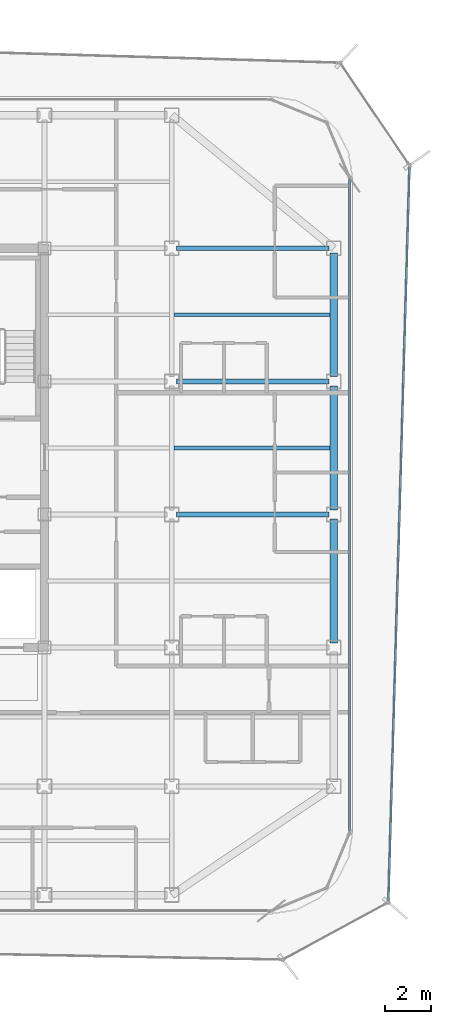
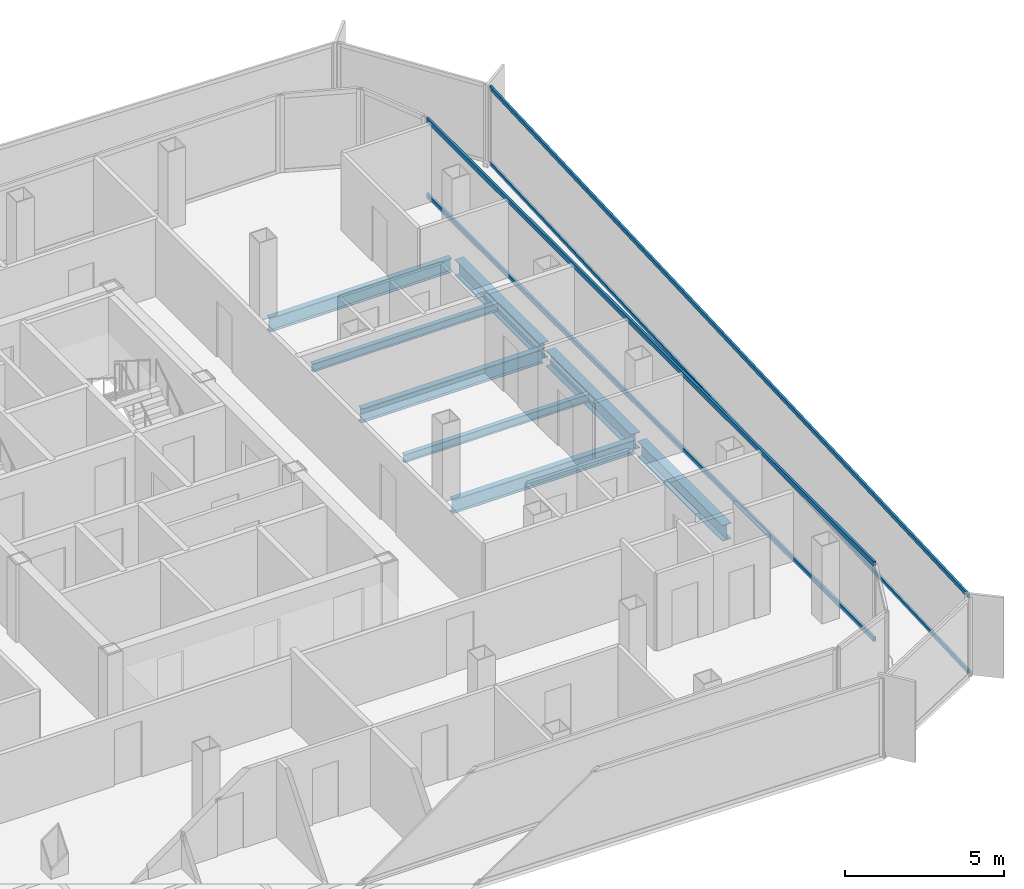
# One storey, part 5 of 15: 8 beams, 4 members, 2 elements without a shape of their own.
"""IFC4 building model written with IfcOpenShell, lengths in metres."""

import ifcopenshell
import ifcopenshell.guid

model = None  # the IFC model being written
_history = None  # IfcOwnerHistory: only IFC2X3 demands one
_inside = {}  # id of a spatial element -> (the spatial element, [elements in it])
_under = {}  # id of a project, library or spatial element -> (it, [spatial elements below it])
_declared = {}  # id of a project -> (the project, [libraries it declares])
_typed = {}  # id of a type object -> (the type object, [elements of that type])
_made_of = {}  # id of a material, layer set ... -> (it, [elements and type objects made of it])


def new_model(schema):
    """Start an empty IFC model of exactly this schema.

    Asked for "IFC4X3", IfcOpenShell would pick the latest addendum, in which some entities
    have other attributes; the version numbers below select the first issue.
    IFC2X3 requires an IfcOwnerHistory on every rooted entity: one is made here for all.
    """
    global model, _history
    if schema == "IFC4X3":
        model = ifcopenshell.file(schema_version=(4, 3, 0, 0))
    else:
        model = ifcopenshell.file(schema=schema)
    _inside.clear()
    _under.clear()
    _declared.clear()
    _typed.clear()
    _made_of.clear()
    _history = None
    if model.schema == "IFC2X3":
        org = make("IfcOrganization", Name="unknown")
        user = make(
            "IfcPersonAndOrganization",
            ThePerson=make("IfcPerson", FamilyName="unknown"),
            TheOrganization=org,
        )
        app = make(
            "IfcApplication",
            ApplicationDeveloper=org,
            Version="unknown",
            ApplicationFullName="unknown",
            ApplicationIdentifier="unknown",
        )
        _history = make(
            "IfcOwnerHistory",
            OwningUser=user,
            OwningApplication=app,
            ChangeAction="ADDED",
            CreationDate=0,
        )
    return model


def make(cls, **values):
    """One entity of the class cls with the attributes given. An attribute that is None is left unset."""
    return model.create_entity(
        cls, **{name: value for name, value in values.items() if value is not None}
    )


def rooted(cls, **values):
    """An entity with a GlobalId (a new one), such as an element, a storey or a relation."""
    return make(cls, GlobalId=ifcopenshell.guid.new(), OwnerHistory=_history, **values)


def si_unit(unit_type, name, prefix=None):
    """IfcSIUnit, for example si_unit("LENGTHUNIT", "METRE", prefix="MILLI")."""
    return make("IfcSIUnit", UnitType=unit_type, Prefix=prefix, Name=name)


def assignment(units):
    """IfcUnitAssignment: the units of a project."""
    return None if units is None else make("IfcUnitAssignment", Units=units)


def point(xyz):
    """IfcCartesianPoint."""
    return None if xyz is None else make("IfcCartesianPoint", Coordinates=xyz)


def direction(xyz):
    """IfcDirection."""
    return None if xyz is None else make("IfcDirection", DirectionRatios=xyz)


def frame(location, z_axis=None, x_axis=None):
    """IfcAxis2Placement3D, a coordinate frame: its origin and axes. An axis left out is left unset."""
    return make(
        "IfcAxis2Placement3D",
        Location=point(location),
        Axis=direction(z_axis),
        RefDirection=direction(x_axis),
    )


def frame_2d(location, x_axis=None):
    """IfcAxis2Placement2D, a coordinate frame in the plane: its origin and x axis."""
    return make(
        "IfcAxis2Placement2D", Location=point(location), RefDirection=direction(x_axis)
    )


def origin():
    """The frame at (0, 0, 0) with its axes left unset."""
    return frame((0.0, 0.0, 0.0))


def origin_2d():
    """The frame at (0, 0) in the plane with its x axis left unset."""
    return frame_2d((0.0, 0.0))


def place(relative_to, where):
    """IfcLocalPlacement: puts the frame where relative to a parent placement (None: the world)."""
    return make(
        "IfcLocalPlacement", PlacementRelTo=relative_to, RelativePlacement=where
    )


def context(
    kind, dimensions, precision=None, world=None, true_north=None, identifier=None
):
    """IfcGeometricRepresentationContext, for example the 3D "Model" context."""
    return make(
        "IfcGeometricRepresentationContext",
        ContextIdentifier=identifier,
        ContextType=kind,
        CoordinateSpaceDimension=dimensions,
        Precision=precision,
        WorldCoordinateSystem=world,
        TrueNorth=true_north,
    )


def subcontext(parent, identifier, kind, view, scale=None):
    """IfcGeometricRepresentationSubContext, for example "Body" below "Model"."""
    return make(
        "IfcGeometricRepresentationSubContext",
        ContextIdentifier=identifier,
        ContextType=kind,
        ParentContext=parent,
        TargetScale=scale,
        TargetView=view,
    )


def project(units=None, contexts=None):
    """IfcProject with its units and contexts."""
    return rooted(
        "IfcProject",
        Name="project",
        RepresentationContexts=contexts,
        UnitsInContext=assignment(units),
    )


def spatial(cls, under=None, at=None, **own):
    """A site, building, storey or space (cls), placed at a placement, below another one or the project."""
    s = rooted(cls, ObjectPlacement=at, **own)
    if under is not None:
        _under.setdefault(under.id(), (under, []))[1].append(s)
    return s


def profile(cls, at=None, kind="AREA", **sizes):
    """A parametric profile (cls). Its sizes go by their IFC names, for example OverallWidth=200.0."""
    return make(cls, ProfileType=kind, Position=at, **sizes)


def hollow_rectangle(**sizes):
    """IfcRectangleHollowProfileDef."""
    return profile("IfcRectangleHollowProfileDef", **sizes)


def i_section(**sizes):
    """IfcIShapeProfileDef."""
    return profile("IfcIShapeProfileDef", **sizes)


def extrude(swept, where, along, depth):
    """IfcExtrudedAreaSolid: the profile swept, set in the frame where, extruded along a direction by depth."""
    return make(
        "IfcExtrudedAreaSolid",
        SweptArea=swept,
        Position=where,
        ExtrudedDirection=direction(along),
        Depth=depth,
    )


def shape(context_of_items, identifier, shape_type, items):
    """IfcShapeRepresentation: the items that make up one representation, for example the "Body"."""
    return make(
        "IfcShapeRepresentation",
        ContextOfItems=context_of_items,
        RepresentationIdentifier=identifier,
        RepresentationType=shape_type,
        Items=items,
    )


def source(mapping_origin, context_of_items, identifier, shape_type, items):
    """IfcRepresentationMap: a shape defined once, which mapped items show again and again."""
    return make(
        "IfcRepresentationMap",
        MappingOrigin=mapping_origin,
        MappedRepresentation=shape(context_of_items, identifier, shape_type, items),
    )


def transform(
    local_origin,
    x_axis=None,
    y_axis=None,
    z_axis=None,
    scale=None,
    scale2=None,
    scale3=None,
    uniform=True,
):
    """IfcCartesianTransformationOperator3D, or its non-uniform kind. x_axis, y_axis, z_axis: its Axis1, 2, 3."""
    if uniform:
        return make(
            "IfcCartesianTransformationOperator3D",
            Axis1=direction(x_axis),
            Axis2=direction(y_axis),
            LocalOrigin=point(local_origin),
            Scale=scale,
            Axis3=direction(z_axis),
        )
    return make(
        "IfcCartesianTransformationOperator3DnonUniform",
        Axis1=direction(x_axis),
        Axis2=direction(y_axis),
        LocalOrigin=point(local_origin),
        Scale=scale,
        Axis3=direction(z_axis),
        Scale2=scale2,
        Scale3=scale3,
    )


def mapped(mapping_source, mapping_target):
    """IfcMappedItem: shows the shape of a source again, moved by a transform."""
    return make(
        "IfcMappedItem", MappingSource=mapping_source, MappingTarget=mapping_target
    )


def material(Name=None, Category=None):
    """IfcMaterial."""
    return make("IfcMaterial", Name=Name, Category=Category)


def layer(
    of_material, thickness, ventilated=None, Name=None, Category=None, Priority=None
):
    """IfcMaterialLayer: one layer of a wall or slab, of a material (None: an air gap)."""
    return make(
        "IfcMaterialLayer",
        Material=of_material,
        LayerThickness=thickness,
        IsVentilated=ventilated,
        Name=Name,
        Category=Category,
        Priority=Priority,
    )


def layer_set(layers, Name=None):
    """IfcMaterialLayerSet."""
    return make("IfcMaterialLayerSet", MaterialLayers=layers, LayerSetName=Name)


def material_profile(
    of_material, cross_section, Name=None, Category=None, Priority=None
):
    """IfcMaterialProfile: a cross section and its material."""
    return make(
        "IfcMaterialProfile",
        Name=Name,
        Material=of_material,
        Profile=cross_section,
        Priority=Priority,
        Category=Category,
    )


def profile_set(profiles, Name=None, composite=None):
    """IfcMaterialProfileSet."""
    return make(
        "IfcMaterialProfileSet",
        Name=Name,
        MaterialProfiles=profiles,
        CompositeProfile=composite,
    )


def made_of(thing, what):
    """Note that an element or type object is made of a material, layer set ...; save() writes the relation."""
    if what is not None:
        _made_of.setdefault(what.id(), (what, []))[1].append(thing)
    return thing


def type_object(cls, material=None, **own):
    """A type object (cls), such as IfcWallType, which elements share."""
    return made_of(rooted(cls, **own), material)


def element(
    cls,
    number,
    at=None,
    inside=None,
    cuts=None,
    type_object=None,
    material=None,
    context=None,
    identifier="Body",
    shape_type=None,
    held_by="IfcProductDefinitionShape",
    body=None,
    shapes=None,
    **own,
):
    """One element of the class cls, such as IfcWall. Its Tag is "e" and its number.

    at: its placement. inside: the storey or other place that contains it. cuts: it is an
    opening in that element (IfcRelVoidsElement). A single representation is given by context,
    identifier, shape_type and body (its items); several are given by shapes. held_by: the class
    of the entity that holds the representations. save() writes the other relations.
    """
    e = rooted(cls, Tag="e%d" % number, ObjectPlacement=at, **own)
    if body is not None:
        shapes = [shape(context, identifier, shape_type, body)]
    if shapes is not None:
        e.Representation = make(held_by, Representations=shapes)
    if inside is not None:
        _inside.setdefault(inside.id(), (inside, []))[1].append(e)
    if cuts is not None:
        rooted(
            "IfcRelVoidsElement", RelatingBuildingElement=cuts, RelatedOpeningElement=e
        )
    if type_object is not None:
        _typed.setdefault(type_object.id(), (type_object, []))[1].append(e)
    return made_of(e, material)


def aggregate(whole, parts):
    """IfcRelAggregates: a whole, such as a stair, and the parts it consists of."""
    return rooted("IfcRelAggregates", RelatingObject=whole, RelatedObjects=parts)


def save(model, path):
    """Write the relations noted so far, then the file.

    IfcRelAggregates (storeys below a building ...), IfcRelContainedInSpatialStructure (elements
    in a storey), IfcRelDefinesByType, IfcRelAssociatesMaterial and IfcRelDeclares: one each for
    every whole, place, type object, material and project.
    """
    for whole, parts in _under.values():
        aggregate(whole, parts)
    for where, things in _inside.values():
        rooted(
            "IfcRelContainedInSpatialStructure",
            RelatedElements=things,
            RelatingStructure=where,
        )
    for kind, things in _typed.values():
        rooted("IfcRelDefinesByType", RelatedObjects=things, RelatingType=kind)
    for what, things in _made_of.values():
        rooted("IfcRelAssociatesMaterial", RelatedObjects=things, RelatingMaterial=what)
    for by, libraries in _declared.values():
        rooted("IfcRelDeclares", RelatingContext=by, RelatedDefinitions=libraries)
    model.write(path)


model = new_model("IFC4")

# Units and contexts
model_context = context("Model", 3, precision=1e-05, world=origin(), true_north=direction((0.0, 1.0)))
body_context = subcontext(model_context, "Body", "Model", "MODEL_VIEW")
ifc_project = project(units=[si_unit("LENGTHUNIT", "METRE"), si_unit("AREAUNIT", "SQUARE_METRE"), si_unit("VOLUMEUNIT", "CUBIC_METRE"), si_unit("PLANEANGLEUNIT", "RADIAN"), si_unit("MASSUNIT", "GRAM", prefix="KILO")], contexts=[model_context])

# Site, building, storey
site_placement = place(None, origin())
site = spatial("IfcSite", under=ifc_project, at=site_placement, CompositionType="ELEMENT")
building_placement = place(site_placement, origin())
building = spatial("IfcBuilding", under=site, at=building_placement, Name="Kolveth Station Tower", CompositionType="ELEMENT")
storey_placement = place(building_placement, frame((0.0, 0.0, 242.5)))
storey = spatial("IfcBuildingStorey", under=building, at=storey_placement, Name="L69", CompositionType="ELEMENT", Elevation=242.5)

# Beams
ifc_material_1 = material(Name="Steel S355", Category="steel")
ifc_material_profile_1 = material_profile(ifc_material_1, i_section(OverallWidth=0.323974609375, OverallDepth=0.611083984375, WebThickness=0.0126953125, FlangeThickness=0.01904296875, at=origin_2d()), Name="W610x155")
ifc_profile_set_1 = profile_set([ifc_material_profile_1], Name="Steel S355")
beam_type_1 = type_object("IfcBeamType", Name="Beam_SP2", PredefinedType="SPANDREL", material=ifc_profile_set_1)
shared_shape_1 = source(origin(), body_context, "Body", "SweptSolid", [
    extrude(i_section(OverallWidth=0.323974609375, OverallDepth=0.611083984375, WebThickness=0.0126953125, FlangeThickness=0.01904296875, at=origin_2d()), origin(), (0.0, 0.0, 1.0), 5.35009765625),
])
for number, where, z_axis, x_axis, name in (
    (1, (41.0, 11.699951171875, -0.525390625), (0.0, 1.0, 0.0), (-1.0, 0.0, 0.0), "L69 Perimeter Spandrel BM-L69-PE-2"),
    (2, (41.0, 17.449951171875, -0.525390625), (0.0, 1.0, 0.0), (-1.0, 0.0, 0.0), "L69 Perimeter Spandrel BM-L69-PE-3"),
    (3, (41.0, 23.199951171875, -0.525390625), (0.0, 1.0, 0.0), (-1.0, 0.0, 0.0), "L69 Perimeter Spandrel BM-L69-PE-4"),
):
    element("IfcBeam", number, at=place(storey_placement, frame(where, z_axis=z_axis, x_axis=x_axis)), inside=storey, type_object=beam_type_1, Name=name, PredefinedType="SPANDREL", context=body_context, shape_type="MappedRepresentation", body=[
        mapped(shared_shape_1, transform((0.0, 0.0, 0.0), x_axis=(1.0, 0.0, 0.0), y_axis=(0.0, 1.0, 0.0), z_axis=(0.0, 0.0, 1.0), scale=1.0)),
    ])
ifc_material_profile_2 = material_profile(ifc_material_1, i_section(OverallWidth=0.2099609375, OverallDepth=0.537109375, WebThickness=0.010986328125, FlangeThickness=0.017333984375, at=origin_2d()), Name="W530x101")
ifc_profile_set_2 = profile_set([ifc_material_profile_2], Name="Steel S355")
beam_type_2 = type_object("IfcBeamType", Name="Beam_B6", PredefinedType="BEAM", material=ifc_profile_set_2)
shared_shape_2 = source(origin(), body_context, "Body", "SweptSolid", [
    extrude(i_section(OverallWidth=0.2099609375, OverallDepth=0.537109375, WebThickness=0.010986328125, FlangeThickness=0.017333984375, at=origin_2d()), origin(), (0.0, 0.0, 1.0), 6.60009765625),
])
for number, where, z_axis, x_axis, name in (
    (4, (34.199951171875, 17.25, -0.488525390625), (1.0, 0.0, 0.0), (0.0, 1.0, 0.0), "L69 Primary Girder BM-L69-GY172-5"),
    (5, (34.199951171875, 23.0, -0.488525390625), (1.0, 0.0, 0.0), (0.0, 1.0, 0.0), "L69 Primary Girder BM-L69-GY230-5"),
    (6, (34.199951171875, 28.75, -0.488525390625), (1.0, 0.0, 0.0), (0.0, 1.0, 0.0), "L69 Primary Girder BM-L69-GY287-5"),
):
    element("IfcBeam", number, at=place(storey_placement, frame(where, z_axis=z_axis, x_axis=x_axis)), inside=storey, type_object=beam_type_2, Name=name, PredefinedType="BEAM", context=body_context, shape_type="MappedRepresentation", body=[
        mapped(shared_shape_2, transform((0.0, 0.0, 0.0), x_axis=(1.0, 0.0, 0.0), y_axis=(0.0, 1.0, 0.0), z_axis=(0.0, 0.0, 1.0), scale=1.0)),
    ])
ifc_material_profile_3 = material_profile(ifc_material_1, i_section(OverallWidth=0.1650390625, OverallDepth=0.31005859375, WebThickness=0.005859375, FlangeThickness=0.009765625, at=origin_2d()), Name="W310x39")
ifc_profile_set_3 = profile_set([ifc_material_profile_3], Name="Steel S355")
beam_type_3 = type_object("IfcBeamType", Name="Beam_J3", PredefinedType="JOIST", material=ifc_profile_set_3)
shared_shape_3 = source(origin(), body_context, "Body", "SweptSolid", [
    extrude(i_section(OverallWidth=0.1650390625, OverallDepth=0.31005859375, WebThickness=0.005859375, FlangeThickness=0.009765625, at=origin_2d()), origin(), (0.0, 0.0, 1.0), 6.737060546875),
])
for number, where, z_axis, x_axis, name in (
    (7, (34.10302734375, 20.125, -0.375), (1.0, 0.0, 0.0), (0.0, 1.0, 0.0), "L69 Secondary Joist JST-L69-5-4"),
    (8, (34.10302734375, 25.875, -0.375), (1.0, 0.0, 0.0), (0.0, 1.0, 0.0), "L69 Secondary Joist JST-L69-5-5"),
):
    element("IfcBeam", number, at=place(storey_placement, frame(where, z_axis=z_axis, x_axis=x_axis)), inside=storey, type_object=beam_type_3, Name=name, PredefinedType="JOIST", context=body_context, shape_type="MappedRepresentation", body=[
        mapped(shared_shape_3, transform((0.0, 0.0, 0.0), x_axis=(1.0, 0.0, 0.0), y_axis=(0.0, 1.0, 0.0), z_axis=(0.0, 0.0, 1.0), scale=1.0)),
    ])

# Curtain wall, members
ifc_material_2 = material(Name="Aluminium 6063-T6 and triple low-E dark glass", Category="aluminium")
ifc_layer_1 = layer(ifc_material_2, 0.199951171875)
ifc_layer_set_1 = layer_set([ifc_layer_1], Name="Aluminium 6063-T6 and triple low-E dark glass")
curtain_wall_type_1 = type_object("IfcCurtainWallType", Name="CurtainWall_CW-Z3", PredefinedType="NOTDEFINED", material=ifc_layer_set_1)
curtain_wall_1_placement = place(storey_placement, origin())
curtain_wall_1 = element("IfcCurtainWall", 9, at=curtain_wall_1_placement, inside=storey, type_object=curtain_wall_type_1, Name="L69 Inner Thermal Curtain Wall 3", PredefinedType="NOTDEFINED")
ifc_material_3 = material(Name="Black anodized aluminium 6063-T6", Category="aluminium")
ifc_material_profile_4 = material_profile(ifc_material_3, hollow_rectangle(XDim=0.0849609375, YDim=0.179931640625, WallThickness=0.0048828125, at=origin_2d()), Name="ALU-85x180x5")
ifc_profile_set_4 = profile_set([ifc_material_profile_4], Name="Black anodized aluminium 6063-T6")
member_type_1 = type_object("IfcMemberType", Name="Transom_TR3", PredefinedType="USERDEFINED", material=ifc_profile_set_4)
shared_shape_4 = source(origin(), body_context, "Body", "SweptSolid", [
    extrude(hollow_rectangle(XDim=0.0849609375, YDim=0.179931640625, WallThickness=0.0048828125, at=origin_2d()), origin(), (0.0, 0.0, 1.0), 28.130126953125),
])
member_1_placement = place(storey_placement, frame((41.679931640625, 3.5849609375, 0.04248046875), z_axis=(0.0, 1.0, 0.0), x_axis=(-1.0, 0.0, 0.0)))
member_1 = element("IfcMember", 10, at=member_1_placement, type_object=member_type_1, Name="CW-Z3 transom 1.1", ObjectType="TRANSOM", PredefinedType="USERDEFINED", context=body_context, shape_type="MappedRepresentation", body=[
    mapped(shared_shape_4, transform((0.0, 0.0, 0.0), x_axis=(1.0, 0.0, 0.0), y_axis=(0.0, 1.0, 0.0), z_axis=(0.0, 0.0, 1.0), scale=1.0)),
])
member_2_placement = place(storey_placement, frame((41.679931640625, 3.5849609375, 2.9375), z_axis=(0.0, 1.0, 0.0), x_axis=(-1.0, 0.0, 0.0)))
member_2 = element("IfcMember", 11, at=member_2_placement, type_object=member_type_1, Name="CW-Z3 transom 1.2", ObjectType="TRANSOM", PredefinedType="USERDEFINED", context=body_context, shape_type="MappedRepresentation", body=[
    mapped(shared_shape_4, transform((0.0, 0.0, 0.0), x_axis=(1.0, 0.0, 0.0), y_axis=(0.0, 1.0, 0.0), z_axis=(0.0, 0.0, 1.0), scale=1.0)),
])
aggregate(curtain_wall_1, [member_1, member_2])

ifc_material_4 = material(Name="Black anodized aluminium 6063-T6 and dark solar glass", Category="aluminium")
ifc_layer_2 = layer(ifc_material_4, 0.159912109375)
ifc_layer_set_2 = layer_set([ifc_layer_2], Name="Black anodized aluminium 6063-T6 and dark solar glass")
curtain_wall_type_2 = type_object("IfcCurtainWallType", Name="OUTER SKIN CW-OS", PredefinedType="NOTDEFINED", material=ifc_layer_set_2)
curtain_wall_2_placement = place(storey_placement, origin())
curtain_wall_2 = element("IfcCurtainWall", 12, at=curtain_wall_2_placement, inside=storey, type_object=curtain_wall_type_2, Name="L69 Outer Ventilated Skin Curtain Wall 2", PredefinedType="NOTDEFINED")
ifc_material_profile_5 = material_profile(ifc_material_3, hollow_rectangle(XDim=0.080078125, YDim=0.14990234375, WallThickness=0.0048828125, at=origin_2d()), Name="ALU-80x150x5")
ifc_profile_set_5 = profile_set([ifc_material_profile_5], Name="Black anodized aluminium 6063-T6")
member_type_2 = type_object("IfcMemberType", Name="Transom_TR-OS", PredefinedType="USERDEFINED", material=ifc_profile_set_5)
shared_shape_5 = source(origin(), body_context, "Body", "SweptSolid", [
    extrude(hollow_rectangle(XDim=0.080078125, YDim=0.14990234375, WallThickness=0.0048828125, at=origin_2d()), origin(), (0.0, 0.0, 1.0), 31.688720703125),
])
member_3_placement = place(storey_placement, frame((43.360595703125, 0.57177734375, 0.0400390625), z_axis=(0.028783457026, 0.999585670466, 0.0), x_axis=(-0.999585670466, 0.028783457026, 0.0)))
member_3 = element("IfcMember", 13, at=member_3_placement, type_object=member_type_2, Name="CW-OS transom 1.1", ObjectType="TRANSOM", PredefinedType="USERDEFINED", context=body_context, shape_type="MappedRepresentation", body=[
    mapped(shared_shape_5, transform((0.0, 0.0, 0.0), x_axis=(1.0, 0.0, 0.0), y_axis=(0.0, 1.0, 0.0), z_axis=(0.0, 0.0, 1.0), scale=1.0)),
])
member_4_placement = place(storey_placement, frame((43.360595703125, 0.57177734375, 2.949951171875), z_axis=(0.028783457026, 0.999585670466, 0.0), x_axis=(-0.999585670466, 0.028783457026, 0.0)))
member_4 = element("IfcMember", 14, at=member_4_placement, type_object=member_type_2, Name="CW-OS transom 1.2", ObjectType="TRANSOM", PredefinedType="USERDEFINED", context=body_context, shape_type="MappedRepresentation", body=[
    mapped(shared_shape_5, transform((0.0, 0.0, 0.0), x_axis=(1.0, 0.0, 0.0), y_axis=(0.0, 1.0, 0.0), z_axis=(0.0, 0.0, 1.0), scale=1.0)),
])
aggregate(curtain_wall_2, [member_3, member_4])

save(model, "model.ifc")
